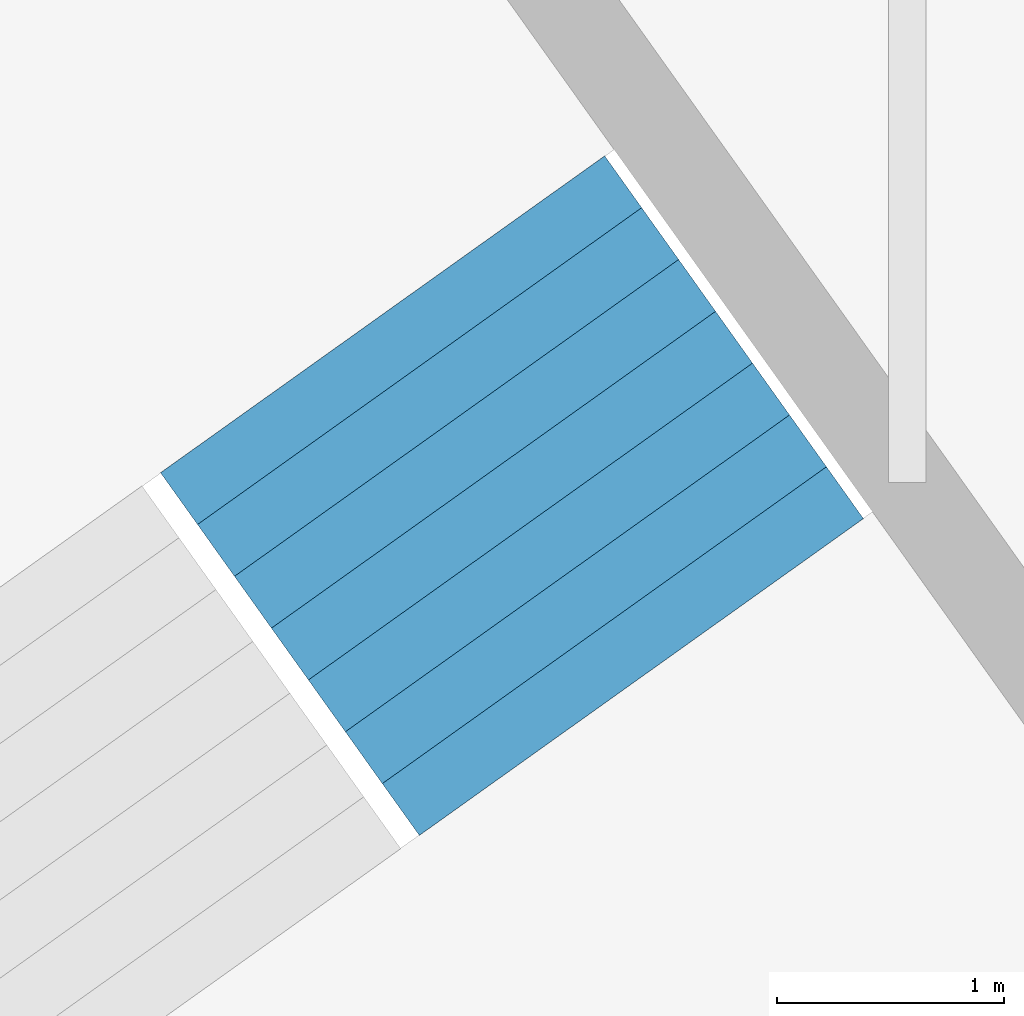
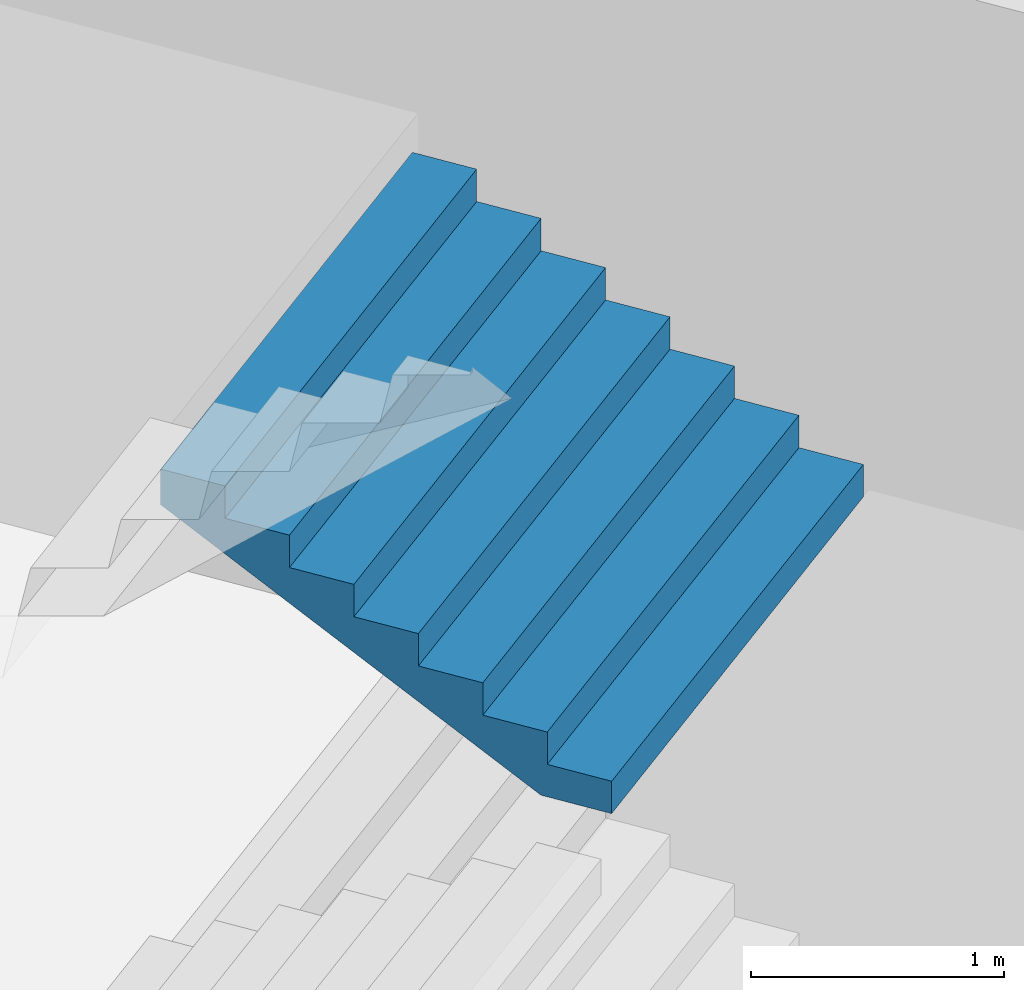
# One storey, part 44 of 73: 1 stair flight, 1 element without a shape of its own.
"""IFC4 building model written with IfcOpenShell, lengths in metres."""

from ifc_helpers import new_model, si_unit, direction, frame, origin, place, context, subcontext, project, spatial, triangles, material, type_object, element, aggregate, save


model = new_model("IFC4")

# Units and contexts
model_context = context("Model", 3, precision=1e-05, world=origin(), true_north=direction((0.0, 1.0)))
body_context = subcontext(model_context, "Body", "Model", "MODEL_VIEW")
ifc_project = project(units=[si_unit("LENGTHUNIT", "METRE"), si_unit("AREAUNIT", "SQUARE_METRE"), si_unit("VOLUMEUNIT", "CUBIC_METRE"), si_unit("PLANEANGLEUNIT", "RADIAN"), si_unit("MASSUNIT", "GRAM", prefix="KILO")], contexts=[model_context])

# Site, building, storey
site_placement = place(None, origin())
site = spatial("IfcSite", under=ifc_project, at=site_placement, CompositionType="ELEMENT")
building_placement = place(site_placement, origin())
building = spatial("IfcBuilding", under=site, at=building_placement, Name="Lantaw Convention Tower", CompositionType="ELEMENT")
storey_placement = place(building_placement, frame((0.0, 0.0, 22.0)))
storey = spatial("IfcBuildingStorey", under=building, at=storey_placement, Name="L03", CompositionType="ELEMENT", Elevation=22.0)

# Stair, stair flight
ifc_material = material(Name="Concrete C35/45", Category="concrete")
stair_type = type_object("IfcStairType", Name="Exit stair 2400 riser 156.25 in 4 flights", PredefinedType="HALF_TURN_STAIR", material=ifc_material)
stair_placement = place(storey_placement, origin())
stair = element("IfcStair", 1, at=stair_placement, inside=storey, type_object=stair_type, Name="Podium exit stair P6 L03", PredefinedType="HALF_TURN_STAIR")
stair_flight_type = type_object("IfcStairFlightType", Name="Stair flight 2400 riser 156.25", PredefinedType="STRAIGHT", material=ifc_material)
stair_flight_placement = place(storey_placement, frame((-16.97021484375, 25.944091796875, 2.5), z_axis=(0.0, 0.0, 1.0), x_axis=(-0.580702955711, 0.814115518356, 0.0)))
stair_flight = element("IfcStairFlight", 2, at=stair_flight_placement, type_object=stair_flight_type, Name="P6 flight 3", NumberOfRisers=8, NumberOfTreads=7, PredefinedType="STRAIGHT", RiserHeight=0.15625, TreadLength=0.28, context=body_context, shape_type="Tessellation", body=[
    triangles([(0.0, 1.199951171875, 0.0), (0.0, 1.199951171875, 0.15625), (0.28, 1.199951171875, 0.0), (0.28, 1.199951171875, 0.15625), (0.28, 1.199951171875, 0.3125), (0.3076200632058044, 1.199951171875, 0.0), (0.3076200632058044, 1.199951171875, 0.3125), (0.56, 1.199951171875, 0.14083701830033238), (0.56, 1.199951171875, 0.3125), (0.56, 1.199951171875, 0.46875), (0.8400000000000001, 1.199951171875, 0.29708701830033235), (0.8400000000000001, 1.199951171875, 0.46875), (0.8400000000000001, 1.199951171875, 0.625), (1.12, 1.199951171875, 0.45333701830033235), (1.12, 1.199951171875, 0.625), (1.12, 1.199951171875, 0.78125), (1.4000000000000001, 1.199951171875, 0.6095870183003324), (1.4000000000000001, 1.199951171875, 0.78125), (1.4000000000000001, 1.199951171875, 0.9375), (1.6800000000000002, 1.199951171875, 0.7658370183003324), (1.6800000000000002, 1.199951171875, 0.9375), (1.6800000000000002, 1.199951171875, 1.09375), (1.9600000000000002, 1.199951171875, 0.9220870183003324), (1.9600000000000002, 1.199951171875, 1.09375), (0.0, -1.199951171875, 0.0), (0.0, -1.199951171875, 0.15625), (0.28, -1.199951171875, 0.0), (0.28, -1.199951171875, 0.15625), (0.28, -1.199951171875, 0.3125), (0.3076200632058044, -1.199951171875, 0.0), (0.3076200632058044, -1.199951171875, 0.3125), (0.56, -1.199951171875, 0.14083701830033238), (0.56, -1.199951171875, 0.3125), (0.56, -1.199951171875, 0.46875), (0.8400000000000001, -1.199951171875, 0.29708701830033235), (0.8400000000000001, -1.199951171875, 0.46875), (0.8400000000000001, -1.199951171875, 0.625), (1.12, -1.199951171875, 0.45333701830033235), (1.12, -1.199951171875, 0.625), (1.12, -1.199951171875, 0.78125), (1.4000000000000001, -1.199951171875, 0.6095870183003324), (1.4000000000000001, -1.199951171875, 0.78125), (1.4000000000000001, -1.199951171875, 0.9375), (1.6800000000000002, -1.199951171875, 0.7658370183003324), (1.6800000000000002, -1.199951171875, 0.9375), (1.6800000000000002, -1.199951171875, 1.09375), (1.9600000000000002, -1.199951171875, 0.9220870183003324), (1.9600000000000002, -1.199951171875, 1.09375), (0.0, 0.239990234375, 0.15625), (0.0, 0.239990234375, 0.0), (0.0, 0.1919921875, 0.15625), (0.0, 0.1919921875, 0.0), (0.0, 0.143994140625, 0.15625), (0.0, 0.143994140625, 0.0), (0.0, 0.09599609375, 0.15625), (0.0, 0.09599609375, 0.0), (0.0, 0.047998046875, 0.15625), (0.0, 0.047998046875, 0.0), (0.0, 0.0, 0.15625), (0.0, 0.0, 0.0), (0.0, -0.047998046875, 0.15625), (0.0, -0.047998046875, 0.0), (0.0, -0.09599609375, 0.15625), (0.0, -0.09599609375, 0.0), (0.0, -0.143994140625, 0.15625), (0.0, -0.143994140625, 0.0), (0.0, -0.1919921875, 0.15625), (0.0, -0.1919921875, 0.0), (0.0, -0.239990234375, 0.15625), (0.0, -0.239990234375, 0.0), (0.28, 0.239990234375, 0.3125), (0.28, 0.239990234375, 0.15625), (0.28, 0.1919921875, 0.3125), (0.28, 0.1919921875, 0.15625), (0.28, 0.143994140625, 0.3125), (0.28, 0.143994140625, 0.15625), (0.28, 0.09599609375, 0.3125), (0.28, 0.09599609375, 0.15625), (0.28, 0.047998046875, 0.3125), (0.28, 0.047998046875, 0.15625), (0.28, 0.0, 0.3125), (0.28, 0.0, 0.15625), (0.28, -0.047998046875, 0.3125), (0.28, -0.047998046875, 0.15625), (0.28, -0.09599609375, 0.3125), (0.28, -0.09599609375, 0.15625), (0.28, -0.143994140625, 0.3125), (0.28, -0.143994140625, 0.15625), (0.28, -0.1919921875, 0.3125), (0.28, -0.1919921875, 0.15625), (0.28, -0.239990234375, 0.3125), (0.28, -0.239990234375, 0.15625), (0.56, 0.239990234375, 0.46875), (0.56, 0.239990234375, 0.3125), (0.56, 0.1919921875, 0.46875), (0.56, 0.1919921875, 0.3125), (0.56, 0.143994140625, 0.46875), (0.56, 0.143994140625, 0.3125), (0.56, 0.09599609375, 0.46875), (0.56, 0.09599609375, 0.3125), (0.56, 0.047998046875, 0.46875), (0.56, 0.047998046875, 0.3125), (0.56, 0.0, 0.46875), (0.56, 0.0, 0.3125), (0.56, -0.047998046875, 0.46875), (0.56, -0.047998046875, 0.3125), (0.56, -0.09599609375, 0.46875), (0.56, -0.09599609375, 0.3125), (0.56, -0.143994140625, 0.46875), (0.56, -0.143994140625, 0.3125), (0.56, -0.1919921875, 0.46875), (0.56, -0.1919921875, 0.3125), (0.56, -0.239990234375, 0.46875), (0.56, -0.239990234375, 0.3125), (0.8400000000000001, 0.239990234375, 0.625), (0.8400000000000001, 0.239990234375, 0.46875), (0.8400000000000001, 0.1919921875, 0.625), (0.8400000000000001, 0.1919921875, 0.46875), (0.8400000000000001, 0.143994140625, 0.625), (0.8400000000000001, 0.143994140625, 0.46875), (0.8400000000000001, 0.09599609375, 0.625), (0.8400000000000001, 0.09599609375, 0.46875), (0.8400000000000001, 0.047998046875, 0.625), (0.8400000000000001, 0.047998046875, 0.46875), (0.8400000000000001, 0.0, 0.625), (0.8400000000000001, 0.0, 0.46875), (0.8400000000000001, -0.047998046875, 0.625), (0.8400000000000001, -0.047998046875, 0.46875), (0.8400000000000001, -0.09599609375, 0.625), (0.8400000000000001, -0.09599609375, 0.46875), (0.8400000000000001, -0.143994140625, 0.625), (0.8400000000000001, -0.143994140625, 0.46875), (0.8400000000000001, -0.1919921875, 0.625), (0.8400000000000001, -0.1919921875, 0.46875), (0.8400000000000001, -0.239990234375, 0.625), (0.8400000000000001, -0.239990234375, 0.46875), (1.12, 0.239990234375, 0.78125), (1.12, 0.239990234375, 0.625), (1.12, 0.1919921875, 0.78125), (1.12, 0.1919921875, 0.625), (1.12, 0.143994140625, 0.78125), (1.12, 0.143994140625, 0.625), (1.12, 0.09599609375, 0.78125), (1.12, 0.09599609375, 0.625), (1.12, 0.047998046875, 0.78125), (1.12, 0.047998046875, 0.625), (1.12, 0.0, 0.78125), (1.12, 0.0, 0.625), (1.12, -0.047998046875, 0.78125), (1.12, -0.047998046875, 0.625), (1.12, -0.09599609375, 0.78125), (1.12, -0.09599609375, 0.625), (1.12, -0.143994140625, 0.78125), (1.12, -0.143994140625, 0.625), (1.12, -0.1919921875, 0.78125), (1.12, -0.1919921875, 0.625), (1.12, -0.239990234375, 0.78125), (1.12, -0.239990234375, 0.625), (1.4000000000000001, 0.239990234375, 0.9375), (1.4000000000000001, 0.239990234375, 0.78125), (1.4000000000000001, 0.1919921875, 0.9375), (1.4000000000000001, 0.1919921875, 0.78125), (1.4000000000000001, 0.143994140625, 0.9375), (1.4000000000000001, 0.143994140625, 0.78125), (1.4000000000000001, 0.09599609375, 0.9375), (1.4000000000000001, 0.09599609375, 0.78125), (1.4000000000000001, 0.047998046875, 0.9375), (1.4000000000000001, 0.047998046875, 0.78125), (1.4000000000000001, 0.0, 0.9375), (1.4000000000000001, 0.0, 0.78125), (1.4000000000000001, -0.047998046875, 0.9375), (1.4000000000000001, -0.047998046875, 0.78125), (1.4000000000000001, -0.09599609375, 0.9375), (1.4000000000000001, -0.09599609375, 0.78125), (1.4000000000000001, -0.143994140625, 0.9375), (1.4000000000000001, -0.143994140625, 0.78125), (1.4000000000000001, -0.1919921875, 0.9375), (1.4000000000000001, -0.1919921875, 0.78125), (1.4000000000000001, -0.239990234375, 0.9375), (1.4000000000000001, -0.239990234375, 0.78125), (1.6800000000000002, 0.239990234375, 1.09375), (1.6800000000000002, 0.239990234375, 0.9375), (1.6800000000000002, 0.1919921875, 1.09375), (1.6800000000000002, 0.1919921875, 0.9375), (1.6800000000000002, 0.143994140625, 1.09375), (1.6800000000000002, 0.143994140625, 0.9375), (1.6800000000000002, 0.09599609375, 1.09375), (1.6800000000000002, 0.09599609375, 0.9375), (1.6800000000000002, 0.047998046875, 1.09375), (1.6800000000000002, 0.047998046875, 0.9375), (1.6800000000000002, 0.0, 1.09375), (1.6800000000000002, 0.0, 0.9375), (1.6800000000000002, -0.047998046875, 1.09375), (1.6800000000000002, -0.047998046875, 0.9375), (1.6800000000000002, -0.09599609375, 1.09375), (1.6800000000000002, -0.09599609375, 0.9375), (1.6800000000000002, -0.143994140625, 1.09375), (1.6800000000000002, -0.143994140625, 0.9375), (1.6800000000000002, -0.1919921875, 1.09375), (1.6800000000000002, -0.1919921875, 0.9375), (1.6800000000000002, -0.239990234375, 1.09375), (1.6800000000000002, -0.239990234375, 0.9375), (0.3076200632058044, 0.239990234375, 0.3125), (0.3076200632058044, 0.1919921875, 0.3125), (0.3076200632058044, 0.143994140625, 0.3125), (0.3076200632058044, 0.09599609375, 0.3125), (0.3076200632058044, 0.047998046875, 0.3125), (0.3076200632058044, 0.0, 0.3125), (0.3076200632058044, -0.047998046875, 0.3125), (0.3076200632058044, -0.09599609375, 0.3125), (0.3076200632058044, -0.143994140625, 0.3125), (0.3076200632058044, -0.1919921875, 0.3125), (0.3076200632058044, -0.239990234375, 0.3125), (1.9600000000000002, 0.239990234375, 1.09375), (1.9600000000000002, 0.1919921875, 1.09375), (1.9600000000000002, 0.143994140625, 1.09375), (1.9600000000000002, 0.09599609375, 1.09375), (1.9600000000000002, 0.047998046875, 1.09375), (1.9600000000000002, 0.0, 1.09375), (1.9600000000000002, -0.047998046875, 1.09375), (1.9600000000000002, -0.09599609375, 1.09375), (1.9600000000000002, -0.143994140625, 1.09375), (1.9600000000000002, -0.1919921875, 1.09375), (1.9600000000000002, -0.239990234375, 1.09375), (1.9600000000000002, 0.239990234375, 0.9220870183003324), (1.9600000000000002, 0.1919921875, 0.9220870183003324), (1.9600000000000002, 0.143994140625, 0.9220870183003324), (1.9600000000000002, 0.09599609375, 0.9220870183003324), (1.9600000000000002, 0.047998046875, 0.9220870183003324), (1.9600000000000002, 0.0, 0.9220870183003324), (1.9600000000000002, -0.047998046875, 0.9220870183003324), (1.9600000000000002, -0.09599609375, 0.9220870183003324), (1.9600000000000002, -0.143994140625, 0.9220870183003324), (1.9600000000000002, -0.1919921875, 0.9220870183003324), (1.9600000000000002, -0.239990234375, 0.9220870183003324), (1.6800000000000002, 0.239990234375, 0.7658370183003324), (1.6800000000000002, 0.1919921875, 0.7658370183003324), (1.6800000000000002, 0.143994140625, 0.7658370183003324), (1.6800000000000002, 0.09599609375, 0.7658370183003324), (1.6800000000000002, 0.047998046875, 0.7658370183003324), (1.6800000000000002, 0.0, 0.7658370183003324), (1.6800000000000002, -0.047998046875, 0.7658370183003324), (1.6800000000000002, -0.09599609375, 0.7658370183003324), (1.6800000000000002, -0.143994140625, 0.7658370183003324), (1.6800000000000002, -0.1919921875, 0.7658370183003324), (1.6800000000000002, -0.239990234375, 0.7658370183003324), (1.4000000000000001, 0.239990234375, 0.6095870183003324), (1.4000000000000001, 0.1919921875, 0.6095870183003324), (1.4000000000000001, 0.143994140625, 0.6095870183003324), (1.4000000000000001, 0.09599609375, 0.6095870183003324), (1.4000000000000001, 0.047998046875, 0.6095870183003324), (1.4000000000000001, 0.0, 0.6095870183003324), (1.4000000000000001, -0.047998046875, 0.6095870183003324), (1.4000000000000001, -0.09599609375, 0.6095870183003324), (1.4000000000000001, -0.143994140625, 0.6095870183003324), (1.4000000000000001, -0.1919921875, 0.6095870183003324), (1.4000000000000001, -0.239990234375, 0.6095870183003324), (1.12, 0.239990234375, 0.45333701830033235), (1.12, 0.1919921875, 0.45333701830033235), (1.12, 0.143994140625, 0.45333701830033235), (1.12, 0.09599609375, 0.45333701830033235), (1.12, 0.047998046875, 0.45333701830033235), (1.12, 0.0, 0.45333701830033235), (1.12, -0.047998046875, 0.45333701830033235), (1.12, -0.09599609375, 0.45333701830033235), (1.12, -0.143994140625, 0.45333701830033235), (1.12, -0.1919921875, 0.45333701830033235), (1.12, -0.239990234375, 0.45333701830033235), (0.8400000000000001, 0.239990234375, 0.29708701830033235), (0.8400000000000001, 0.1919921875, 0.29708701830033235), (0.8400000000000001, 0.143994140625, 0.29708701830033235), (0.8400000000000001, 0.09599609375, 0.29708701830033235), (0.8400000000000001, 0.047998046875, 0.29708701830033235), (0.8400000000000001, 0.0, 0.29708701830033235), (0.8400000000000001, -0.047998046875, 0.29708701830033235), (0.8400000000000001, -0.09599609375, 0.29708701830033235), (0.8400000000000001, -0.143994140625, 0.29708701830033235), (0.8400000000000001, -0.1919921875, 0.29708701830033235), (0.8400000000000001, -0.239990234375, 0.29708701830033235), (0.56, 0.239990234375, 0.14083701830033238), (0.56, 0.1919921875, 0.14083701830033238), (0.56, 0.143994140625, 0.14083701830033238), (0.56, 0.09599609375, 0.14083701830033238), (0.56, 0.047998046875, 0.14083701830033238), (0.56, 0.0, 0.14083701830033238), (0.56, -0.047998046875, 0.14083701830033238), (0.56, -0.09599609375, 0.14083701830033238), (0.56, -0.143994140625, 0.14083701830033238), (0.56, -0.1919921875, 0.14083701830033238), (0.56, -0.239990234375, 0.14083701830033238), (0.3076200632058044, 0.239990234375, 0.0), (0.3076200632058044, 0.1919921875, 0.0), (0.3076200632058044, 0.143994140625, 0.0), (0.3076200632058044, 0.09599609375, 0.0), (0.3076200632058044, 0.047998046875, 0.0), (0.3076200632058044, 0.0, 0.0), (0.3076200632058044, -0.047998046875, 0.0), (0.3076200632058044, -0.09599609375, 0.0), (0.3076200632058044, -0.143994140625, 0.0), (0.3076200632058044, -0.1919921875, 0.0), (0.3076200632058044, -0.239990234375, 0.0), (0.28, 0.239990234375, 0.0), (0.28, 0.1919921875, 0.0), (0.28, 0.143994140625, 0.0), (0.28, 0.09599609375, 0.0), (0.28, 0.047998046875, 0.0), (0.28, 0.0, 0.0), (0.28, -0.047998046875, 0.0), (0.28, -0.09599609375, 0.0), (0.28, -0.143994140625, 0.0), (0.28, -0.1919921875, 0.0), (0.28, -0.239990234375, 0.0)], [[1, 4, 3], [1, 2, 4], [3, 4, 6], [4, 7, 6], [4, 5, 7], [6, 9, 8], [6, 7, 9], [8, 9, 11], [9, 12, 11], [9, 10, 12], [11, 12, 14], [12, 15, 14], [12, 13, 15], [14, 15, 17], [15, 18, 17], [15, 16, 18], [17, 18, 20], [18, 21, 20], [18, 19, 21], [20, 21, 23], [21, 24, 23], [21, 22, 24], [25, 27, 28], [25, 28, 26], [27, 30, 28], [28, 30, 31], [28, 31, 29], [30, 32, 33], [30, 33, 31], [32, 35, 33], [33, 35, 36], [33, 36, 34], [35, 38, 36], [36, 38, 39], [36, 39, 37], [38, 41, 39], [39, 41, 42], [39, 42, 40], [41, 44, 42], [42, 44, 45], [42, 45, 43], [44, 47, 45], [45, 47, 48], [45, 48, 46], [1, 49, 2], [1, 50, 49], [50, 51, 49], [50, 52, 51], [52, 53, 51], [52, 54, 53], [54, 55, 53], [54, 56, 55], [56, 57, 55], [56, 58, 57], [58, 59, 57], [58, 60, 59], [60, 61, 59], [60, 62, 61], [62, 63, 61], [62, 64, 63], [64, 65, 63], [64, 66, 65], [66, 67, 65], [66, 68, 67], [68, 69, 67], [68, 70, 69], [70, 26, 69], [70, 25, 26], [4, 71, 5], [4, 72, 71], [72, 73, 71], [72, 74, 73], [74, 75, 73], [74, 76, 75], [76, 77, 75], [76, 78, 77], [78, 79, 77], [78, 80, 79], [80, 81, 79], [80, 82, 81], [82, 83, 81], [82, 84, 83], [84, 85, 83], [84, 86, 85], [86, 87, 85], [86, 88, 87], [88, 89, 87], [88, 90, 89], [90, 91, 89], [90, 92, 91], [92, 29, 91], [92, 28, 29], [9, 93, 10], [9, 94, 93], [94, 95, 93], [94, 96, 95], [96, 97, 95], [96, 98, 97], [98, 99, 97], [98, 100, 99], [100, 101, 99], [100, 102, 101], [102, 103, 101], [102, 104, 103], [104, 105, 103], [104, 106, 105], [106, 107, 105], [106, 108, 107], [108, 109, 107], [108, 110, 109], [110, 111, 109], [110, 112, 111], [112, 113, 111], [112, 114, 113], [114, 34, 113], [114, 33, 34], [12, 115, 13], [12, 116, 115], [116, 117, 115], [116, 118, 117], [118, 119, 117], [118, 120, 119], [120, 121, 119], [120, 122, 121], [122, 123, 121], [122, 124, 123], [124, 125, 123], [124, 126, 125], [126, 127, 125], [126, 128, 127], [128, 129, 127], [128, 130, 129], [130, 131, 129], [130, 132, 131], [132, 133, 131], [132, 134, 133], [134, 135, 133], [134, 136, 135], [136, 37, 135], [136, 36, 37], [15, 137, 16], [15, 138, 137], [138, 139, 137], [138, 140, 139], [140, 141, 139], [140, 142, 141], [142, 143, 141], [142, 144, 143], [144, 145, 143], [144, 146, 145], [146, 147, 145], [146, 148, 147], [148, 149, 147], [148, 150, 149], [150, 151, 149], [150, 152, 151], [152, 153, 151], [152, 154, 153], [154, 155, 153], [154, 156, 155], [156, 157, 155], [156, 158, 157], [158, 40, 157], [158, 39, 40], [18, 159, 19], [18, 160, 159], [160, 161, 159], [160, 162, 161], [162, 163, 161], [162, 164, 163], [164, 165, 163], [164, 166, 165], [166, 167, 165], [166, 168, 167], [168, 169, 167], [168, 170, 169], [170, 171, 169], [170, 172, 171], [172, 173, 171], [172, 174, 173], [174, 175, 173], [174, 176, 175], [176, 177, 175], [176, 178, 177], [178, 179, 177], [178, 180, 179], [180, 43, 179], [180, 42, 43], [21, 181, 22], [21, 182, 181], [182, 183, 181], [182, 184, 183], [184, 185, 183], [184, 186, 185], [186, 187, 185], [186, 188, 187], [188, 189, 187], [188, 190, 189], [190, 191, 189], [190, 192, 191], [192, 193, 191], [192, 194, 193], [194, 195, 193], [194, 196, 195], [196, 197, 195], [196, 198, 197], [198, 199, 197], [198, 200, 199], [200, 201, 199], [200, 202, 201], [202, 46, 201], [202, 45, 46], [2, 72, 4], [2, 49, 72], [49, 74, 72], [49, 51, 74], [51, 76, 74], [51, 53, 76], [53, 78, 76], [53, 55, 78], [55, 80, 78], [55, 57, 80], [57, 82, 80], [57, 59, 82], [59, 84, 82], [59, 61, 84], [61, 86, 84], [61, 63, 86], [63, 88, 86], [63, 65, 88], [65, 90, 88], [65, 67, 90], [67, 92, 90], [67, 69, 92], [69, 28, 92], [69, 26, 28], [5, 203, 7], [5, 71, 203], [71, 204, 203], [71, 73, 204], [73, 205, 204], [73, 75, 205], [75, 206, 205], [75, 77, 206], [77, 207, 206], [77, 79, 207], [79, 208, 207], [79, 81, 208], [81, 209, 208], [81, 83, 209], [83, 210, 209], [83, 85, 210], [85, 211, 210], [85, 87, 211], [87, 212, 211], [87, 89, 212], [89, 213, 212], [89, 91, 213], [91, 31, 213], [91, 29, 31], [7, 94, 9], [7, 203, 94], [203, 96, 94], [203, 204, 96], [204, 98, 96], [204, 205, 98], [205, 100, 98], [205, 206, 100], [206, 102, 100], [206, 207, 102], [207, 104, 102], [207, 208, 104], [208, 106, 104], [208, 209, 106], [209, 108, 106], [209, 210, 108], [210, 110, 108], [210, 211, 110], [211, 112, 110], [211, 212, 112], [212, 114, 112], [212, 213, 114], [213, 33, 114], [213, 31, 33], [10, 116, 12], [10, 93, 116], [93, 118, 116], [93, 95, 118], [95, 120, 118], [95, 97, 120], [97, 122, 120], [97, 99, 122], [99, 124, 122], [99, 101, 124], [101, 126, 124], [101, 103, 126], [103, 128, 126], [103, 105, 128], [105, 130, 128], [105, 107, 130], [107, 132, 130], [107, 109, 132], [109, 134, 132], [109, 111, 134], [111, 136, 134], [111, 113, 136], [113, 36, 136], [113, 34, 36], [13, 138, 15], [13, 115, 138], [115, 140, 138], [115, 117, 140], [117, 142, 140], [117, 119, 142], [119, 144, 142], [119, 121, 144], [121, 146, 144], [121, 123, 146], [123, 148, 146], [123, 125, 148], [125, 150, 148], [125, 127, 150], [127, 152, 150], [127, 129, 152], [129, 154, 152], [129, 131, 154], [131, 156, 154], [131, 133, 156], [133, 158, 156], [133, 135, 158], [135, 39, 158], [135, 37, 39], [16, 160, 18], [16, 137, 160], [137, 162, 160], [137, 139, 162], [139, 164, 162], [139, 141, 164], [141, 166, 164], [141, 143, 166], [143, 168, 166], [143, 145, 168], [145, 170, 168], [145, 147, 170], [147, 172, 170], [147, 149, 172], [149, 174, 172], [149, 151, 174], [151, 176, 174], [151, 153, 176], [153, 178, 176], [153, 155, 178], [155, 180, 178], [155, 157, 180], [157, 42, 180], [157, 40, 42], [19, 182, 21], [19, 159, 182], [159, 184, 182], [159, 161, 184], [161, 186, 184], [161, 163, 186], [163, 188, 186], [163, 165, 188], [165, 190, 188], [165, 167, 190], [167, 192, 190], [167, 169, 192], [169, 194, 192], [169, 171, 194], [171, 196, 194], [171, 173, 196], [173, 198, 196], [173, 175, 198], [175, 200, 198], [175, 177, 200], [177, 202, 200], [177, 179, 202], [179, 45, 202], [179, 43, 45], [22, 214, 24], [22, 181, 214], [181, 215, 214], [181, 183, 215], [183, 216, 215], [183, 185, 216], [185, 217, 216], [185, 187, 217], [187, 218, 217], [187, 189, 218], [189, 219, 218], [189, 191, 219], [191, 220, 219], [191, 193, 220], [193, 221, 220], [193, 195, 221], [195, 222, 221], [195, 197, 222], [197, 223, 222], [197, 199, 223], [199, 224, 223], [199, 201, 224], [201, 48, 224], [201, 46, 48], [24, 225, 23], [24, 214, 225], [214, 226, 225], [214, 215, 226], [215, 227, 226], [215, 216, 227], [216, 228, 227], [216, 217, 228], [217, 229, 228], [217, 218, 229], [218, 230, 229], [218, 219, 230], [219, 231, 230], [219, 220, 231], [220, 232, 231], [220, 221, 232], [221, 233, 232], [221, 222, 233], [222, 234, 233], [222, 223, 234], [223, 235, 234], [223, 224, 235], [224, 47, 235], [224, 48, 47], [23, 236, 20], [23, 225, 236], [225, 237, 236], [225, 226, 237], [226, 238, 237], [226, 227, 238], [227, 239, 238], [227, 228, 239], [228, 240, 239], [228, 229, 240], [229, 241, 240], [229, 230, 241], [230, 242, 241], [230, 231, 242], [231, 243, 242], [231, 232, 243], [232, 244, 243], [232, 233, 244], [233, 245, 244], [233, 234, 245], [234, 246, 245], [234, 235, 246], [235, 44, 246], [235, 47, 44], [20, 247, 17], [20, 236, 247], [236, 248, 247], [236, 237, 248], [237, 249, 248], [237, 238, 249], [238, 250, 249], [238, 239, 250], [239, 251, 250], [239, 240, 251], [240, 252, 251], [240, 241, 252], [241, 253, 252], [241, 242, 253], [242, 254, 253], [242, 243, 254], [243, 255, 254], [243, 244, 255], [244, 256, 255], [244, 245, 256], [245, 257, 256], [245, 246, 257], [246, 41, 257], [246, 44, 41], [17, 258, 14], [17, 247, 258], [247, 259, 258], [247, 248, 259], [248, 260, 259], [248, 249, 260], [249, 261, 260], [249, 250, 261], [250, 262, 261], [250, 251, 262], [251, 263, 262], [251, 252, 263], [252, 264, 263], [252, 253, 264], [253, 265, 264], [253, 254, 265], [254, 266, 265], [254, 255, 266], [255, 267, 266], [255, 256, 267], [256, 268, 267], [256, 257, 268], [257, 38, 268], [257, 41, 38], [14, 269, 11], [14, 258, 269], [258, 270, 269], [258, 259, 270], [259, 271, 270], [259, 260, 271], [260, 272, 271], [260, 261, 272], [261, 273, 272], [261, 262, 273], [262, 274, 273], [262, 263, 274], [263, 275, 274], [263, 264, 275], [264, 276, 275], [264, 265, 276], [265, 277, 276], [265, 266, 277], [266, 278, 277], [266, 267, 278], [267, 279, 278], [267, 268, 279], [268, 35, 279], [268, 38, 35], [11, 280, 8], [11, 269, 280], [269, 281, 280], [269, 270, 281], [270, 282, 281], [270, 271, 282], [271, 283, 282], [271, 272, 283], [272, 284, 283], [272, 273, 284], [273, 285, 284], [273, 274, 285], [274, 286, 285], [274, 275, 286], [275, 287, 286], [275, 276, 287], [276, 288, 287], [276, 277, 288], [277, 289, 288], [277, 278, 289], [278, 290, 289], [278, 279, 290], [279, 32, 290], [279, 35, 32], [8, 291, 6], [8, 280, 291], [280, 292, 291], [280, 281, 292], [281, 293, 292], [281, 282, 293], [282, 294, 293], [282, 283, 294], [283, 295, 294], [283, 284, 295], [284, 296, 295], [284, 285, 296], [285, 297, 296], [285, 286, 297], [286, 298, 297], [286, 287, 298], [287, 299, 298], [287, 288, 299], [288, 300, 299], [288, 289, 300], [289, 301, 300], [289, 290, 301], [290, 30, 301], [290, 32, 30], [6, 302, 3], [6, 291, 302], [291, 303, 302], [291, 292, 303], [292, 304, 303], [292, 293, 304], [293, 305, 304], [293, 294, 305], [294, 306, 305], [294, 295, 306], [295, 307, 306], [295, 296, 307], [296, 308, 307], [296, 297, 308], [297, 309, 308], [297, 298, 309], [298, 310, 309], [298, 299, 310], [299, 311, 310], [299, 300, 311], [300, 312, 311], [300, 301, 312], [301, 27, 312], [301, 30, 27], [3, 50, 1], [3, 302, 50], [302, 52, 50], [302, 303, 52], [303, 54, 52], [303, 304, 54], [304, 56, 54], [304, 305, 56], [305, 58, 56], [305, 306, 58], [306, 60, 58], [306, 307, 60], [307, 62, 60], [307, 308, 62], [308, 64, 62], [308, 309, 64], [309, 66, 64], [309, 310, 66], [310, 68, 66], [310, 311, 68], [311, 70, 68], [311, 312, 70], [312, 25, 70], [312, 27, 25]], closed=True),
])
aggregate(stair, [stair_flight])

save(model, "model.ifc")
